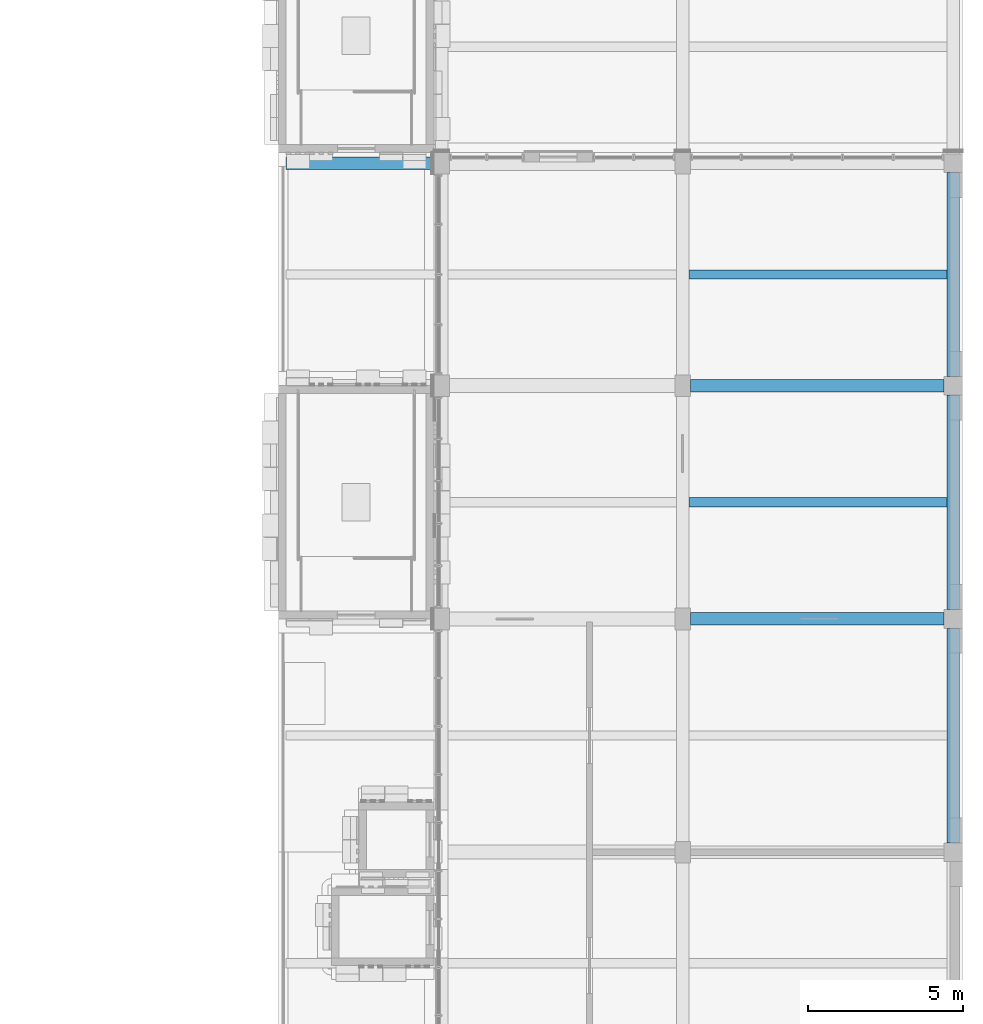
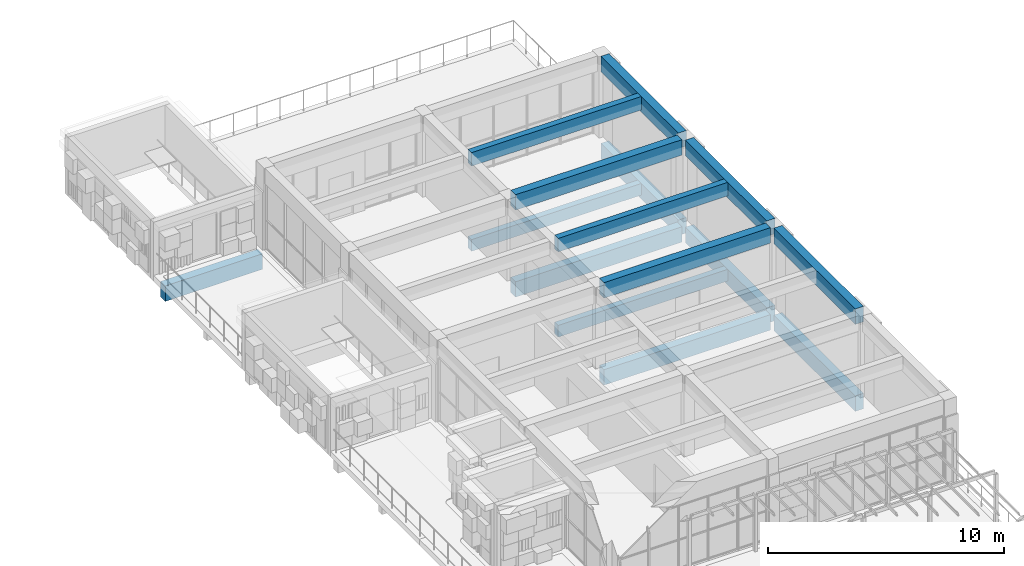
# One storey, part 11 of 26: 15 beams.
"""IFC4 building model written with IfcOpenShell, lengths in metres."""

from ifc_helpers import new_model, si_unit, direction, frame, origin, origin_2d, place, context, subcontext, project, spatial, rectangle, extrude, material, material_profile, profile_set, type_object, element, save


model = new_model("IFC4")

# Units and contexts
model_context = context("Model", 3, precision=1e-05, world=origin(), true_north=direction((0.0, 1.0)))
body_context = subcontext(model_context, "Body", "Model", "MODEL_VIEW")
ifc_project = project(units=[si_unit("LENGTHUNIT", "METRE"), si_unit("AREAUNIT", "SQUARE_METRE"), si_unit("VOLUMEUNIT", "CUBIC_METRE"), si_unit("PLANEANGLEUNIT", "RADIAN"), si_unit("MASSUNIT", "GRAM", prefix="KILO")], contexts=[model_context])

# Site, building, storey
site_placement = place(None, origin())
site = spatial("IfcSite", under=ifc_project, at=site_placement, CompositionType="ELEMENT")
building_placement = place(site_placement, origin())
building = spatial("IfcBuilding", under=site, at=building_placement, Name="Sun Court Science Centre", CompositionType="ELEMENT")
storey_placement = place(building_placement, frame((0.0, 0.0, 29.25)))
storey = spatial("IfcBuildingStorey", under=building, at=storey_placement, Name="L06", CompositionType="ELEMENT", Elevation=29.25)

# Beams
ifc_material_1 = material(Name="Concrete C25/30", Category="concrete")
ifc_material_profile_1 = material_profile(ifc_material_1, rectangle(XDim=0.39990234375, YDim=0.800048828125, at=origin_2d()), Name="RC 400x800")
ifc_profile_set_1 = profile_set([ifc_material_profile_1], Name="Concrete C25/30")
beam_type_1 = type_object("IfcBeamType", Name="RC girder 400x800", PredefinedType="BEAM", material=ifc_profile_set_1)
for number, where, z_axis, x_axis, name in (
    (1, (95.25, 58.5, -0.699951171875), (1.0, 0.0, 0.0), (0.0, 1.0, 0.0), "Girder L06 row 5"),
    (2, (95.25, 66.0, -0.699951171875), (1.0, 0.0, 0.0), (0.0, 1.0, 0.0), "Girder L06 row 6"),
):
    element("IfcBeam", number, at=place(storey_placement, frame(where, z_axis=z_axis, x_axis=x_axis)), inside=storey, type_object=beam_type_1, Name=name, PredefinedType="BEAM", context=body_context, shape_type="SweptSolid", body=[
        extrude(rectangle(XDim=0.39990234375, YDim=0.800048828125, at=origin_2d()), origin(), (0.0, 0.0, 1.0), 8.14990234375),
    ])
beam_1_placement = place(storey_placement, frame((82.25, 73.14990234375, -0.699951171875), z_axis=(1.0, 0.0, 0.0), x_axis=(0.0, 1.0, 0.0)))
element("IfcBeam", 3, at=beam_1_placement, inside=storey, type_object=beam_type_1, Name="Girder L06 row 7", PredefinedType="BEAM", context=body_context, shape_type="SweptSolid", body=[
    extrude(rectangle(XDim=0.39990234375, YDim=0.800048828125, at=origin_2d()), origin(), (0.0, 0.0, 1.0), 4.75),
])
for number, where, z_axis, x_axis, name in (
    (4, (103.699951171875, 51.300048828125, -0.699951171875), (0.0, 1.0, 0.0), (-1.0, 0.0, 0.0), "Girder L06 line 3"),
    (5, (103.699951171875, 58.800048828125, -0.699951171875), (0.0, 1.0, 0.0), (-1.0, 0.0, 0.0), "Girder L06 line 3"),
):
    element("IfcBeam", number, at=place(storey_placement, frame(where, z_axis=z_axis, x_axis=x_axis)), inside=storey, type_object=beam_type_1, Name=name, PredefinedType="BEAM", context=body_context, shape_type="SweptSolid", body=[
        extrude(rectangle(XDim=0.39990234375, YDim=0.800048828125, at=origin_2d()), origin(), (0.0, 0.0, 1.0), 6.89990234375),
    ])
beam_2_placement = place(storey_placement, frame((103.699951171875, 66.300048828125, -0.699951171875), z_axis=(0.0, 1.0, 0.0), x_axis=(-1.0, 0.0, 0.0)))
element("IfcBeam", 6, at=beam_2_placement, inside=storey, type_object=beam_type_1, Name="Girder L06 line 3", PredefinedType="BEAM", context=body_context, shape_type="SweptSolid", body=[
    extrude(rectangle(XDim=0.39990234375, YDim=0.800048828125, at=origin_2d()), origin(), (0.0, 0.0, 1.0), 6.550048828125),
])
for number, where, z_axis, x_axis, name in (
    (7, (95.25, 58.5, 3.800048828125), (1.0, 0.0, 0.0), (0.0, 1.0, 0.0), "Girder L06P row 3"),
    (8, (95.25, 66.0, 3.800048828125), (1.0, 0.0, 0.0), (0.0, 1.0, 0.0), "Girder L06P row 4"),
):
    element("IfcBeam", number, at=place(storey_placement, frame(where, z_axis=z_axis, x_axis=x_axis)), inside=storey, type_object=beam_type_1, Name=name, PredefinedType="BEAM", context=body_context, shape_type="SweptSolid", body=[
        extrude(rectangle(XDim=0.39990234375, YDim=0.800048828125, at=origin_2d()), origin(), (0.0, 0.0, 1.0), 8.14990234375),
    ])
for number, where, z_axis, x_axis, name in (
    (9, (103.699951171875, 51.300048828125, 3.800048828125), (0.0, 1.0, 0.0), (-1.0, 0.0, 0.0), "Girder L06P line 3"),
    (10, (103.699951171875, 58.800048828125, 3.800048828125), (0.0, 1.0, 0.0), (-1.0, 0.0, 0.0), "Girder L06P line 3"),
):
    element("IfcBeam", number, at=place(storey_placement, frame(where, z_axis=z_axis, x_axis=x_axis)), inside=storey, type_object=beam_type_1, Name=name, PredefinedType="BEAM", context=body_context, shape_type="SweptSolid", body=[
        extrude(rectangle(XDim=0.39990234375, YDim=0.800048828125, at=origin_2d()), origin(), (0.0, 0.0, 1.0), 6.89990234375),
    ])
beam_3_placement = place(storey_placement, frame((103.699951171875, 66.300048828125, 3.800048828125), z_axis=(0.0, 1.0, 0.0), x_axis=(-1.0, 0.0, 0.0)))
element("IfcBeam", 11, at=beam_3_placement, inside=storey, type_object=beam_type_1, Name="Girder L06P line 3", PredefinedType="BEAM", context=body_context, shape_type="SweptSolid", body=[
    extrude(rectangle(XDim=0.39990234375, YDim=0.800048828125, at=origin_2d()), origin(), (0.0, 0.0, 1.0), 6.550048828125),
])
ifc_material_2 = material(Name="Concrete C25/30", Category="concrete")
ifc_material_profile_2 = material_profile(ifc_material_2, rectangle(XDim=0.300048828125, YDim=0.60009765625, at=origin_2d()), Name="RC 300x600")
ifc_profile_set_2 = profile_set([ifc_material_profile_2], Name="Concrete C25/30")
beam_type_2 = type_object("IfcBeamType", Name="RC joist 300x600", PredefinedType="JOIST", material=ifc_profile_set_2)
for number, where, z_axis, x_axis, name in (
    (12, (95.199951171875, 62.25, -0.60009765625), (1.0, 0.0, 0.0), (0.0, 1.0, 0.0), "Joist L06"),
    (13, (95.199951171875, 69.574951171875, -0.60009765625), (1.0, 0.0, 0.0), (0.0, 1.0, 0.0), "Joist L06"),
):
    element("IfcBeam", number, at=place(storey_placement, frame(where, z_axis=z_axis, x_axis=x_axis)), inside=storey, type_object=beam_type_2, Name=name, PredefinedType="JOIST", context=body_context, shape_type="SweptSolid", body=[
        extrude(rectangle(XDim=0.300048828125, YDim=0.60009765625, at=origin_2d()), origin(), (0.0, 0.0, 1.0), 8.300048828125),
    ])
ifc_material_3 = material(Name="Concrete C25/30", Category="concrete")
ifc_material_profile_3 = material_profile(ifc_material_3, rectangle(XDim=0.300048828125, YDim=0.699951171875, at=origin_2d()), Name="RC 300x700")
ifc_profile_set_3 = profile_set([ifc_material_profile_3], Name="Concrete C25/30")
beam_type_3 = type_object("IfcBeamType", Name="RC joist 300x700", PredefinedType="JOIST", material=ifc_profile_set_3)
for number, where, z_axis, x_axis, name in (
    (14, (95.199951171875, 62.25, 3.85009765625), (1.0, 0.0, 0.0), (0.0, 1.0, 0.0), "Joist L06P"),
    (15, (95.199951171875, 69.574951171875, 3.85009765625), (1.0, 0.0, 0.0), (0.0, 1.0, 0.0), "Joist L06P"),
):
    element("IfcBeam", number, at=place(storey_placement, frame(where, z_axis=z_axis, x_axis=x_axis)), inside=storey, type_object=beam_type_3, Name=name, PredefinedType="JOIST", context=body_context, shape_type="SweptSolid", body=[
        extrude(rectangle(XDim=0.300048828125, YDim=0.699951171875, at=origin_2d()), origin(), (0.0, 0.0, 1.0), 8.300048828125),
    ])

save(model, "model.ifc")
